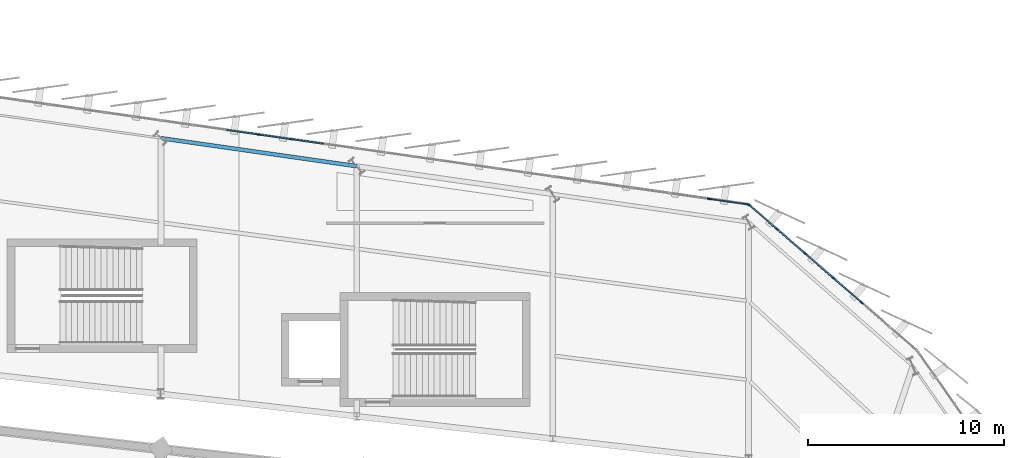
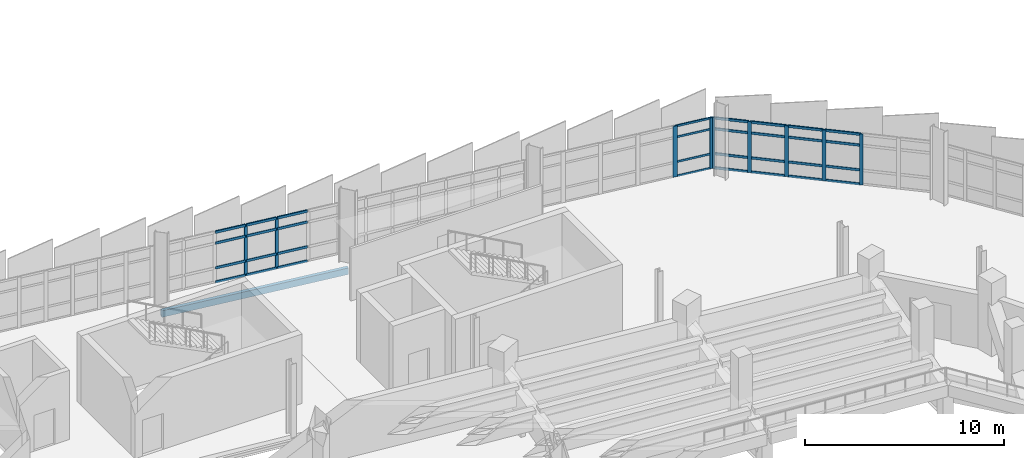
# One storey, part 70 of 120: 41 members, 1 beam, 3 elements without a shape of their own.
"""IFC4 building model written with IfcOpenShell, lengths in metres."""

from ifc_helpers import new_model, si_unit, direction, frame, origin, origin_2d, place, context, subcontext, project, spatial, rectangle, hollow_rectangle, extrude, material, layer, layer_set, material_profile, profile_set, type_object, element, aggregate, save


model = new_model("IFC4")

# Units and contexts
model_context = context("Model", 3, precision=1e-05, world=origin(), true_north=direction((0.0, 1.0)))
body_context = subcontext(model_context, "Body", "Model", "MODEL_VIEW")
ifc_project = project(units=[si_unit("LENGTHUNIT", "METRE"), si_unit("AREAUNIT", "SQUARE_METRE"), si_unit("VOLUMEUNIT", "CUBIC_METRE"), si_unit("PLANEANGLEUNIT", "RADIAN"), si_unit("MASSUNIT", "GRAM", prefix="KILO")], contexts=[model_context])

# Site, building, storey
site_placement = place(None, origin())
site = spatial("IfcSite", under=ifc_project, at=site_placement, CompositionType="ELEMENT")
building_placement = place(site_placement, origin())
building = spatial("IfcBuilding", under=site, at=building_placement, Name="Sohan Crest Arena", CompositionType="ELEMENT")
storey_placement = place(building_placement, frame((0.0, 0.0, 13.5)))
storey = spatial("IfcBuildingStorey", under=building, at=storey_placement, Name="L03", CompositionType="ELEMENT", Elevation=13.5)

# Curtain wall, members
ifc_material_1 = material(Name="Thermally broken anodised aluminium", Category="aluminium")
ifc_layer_1 = layer(ifc_material_1, 0.2099609375, Name="Thermally broken anodised aluminium")
ifc_layer_set_1 = layer_set([ifc_layer_1], Name="Thermally broken anodised aluminium")
curtain_wall_type_1 = type_object("IfcCurtainWallType", Name="ARC-CW06", PredefinedType="NOTDEFINED", material=ifc_layer_set_1)
curtain_wall_1_placement = place(storey_placement, origin())
curtain_wall_1 = element("IfcCurtainWall", 1, at=curtain_wall_1_placement, inside=storey, type_object=curtain_wall_type_1, Name="Unitised curtain wall CW-107", PredefinedType="NOTDEFINED")
ifc_material_profile_1 = material_profile(ifc_material_1, rectangle(XDim=0.06494140625, YDim=0.179931640625, at=origin_2d()), Name="ALU-MULL 65x180")
ifc_profile_set_1 = profile_set([ifc_material_profile_1], Name="Thermally broken anodised aluminium")
member_type_1 = type_object("IfcMemberType", Name="ARC-CW-ML02", PredefinedType="MULLION", material=ifc_profile_set_1)
member_1_placement = place(storey_placement, frame((144.666748046875, 120.2333984375, 0.0), z_axis=(0.0, 0.0, 1.0), x_axis=(-0.141462933734, -0.989943553128, 0.0)))
member_1 = element("IfcMember", 2, at=member_1_placement, type_object=member_type_1, Name="CW-107 mullion 3", PredefinedType="MULLION", context=body_context, shape_type="SweptSolid", body=[
    extrude(rectangle(XDim=0.06494140625, YDim=0.179931640625, at=origin_2d()), origin(), (0.0, 0.0, 1.0), 3.1201171875),
])
member_2_placement = place(storey_placement, frame((143.0, 120.471435546875, 0.0), z_axis=(0.0, 0.0, 1.0), x_axis=(-0.141462933734, -0.989943553128, 0.0)))
member_2 = element("IfcMember", 3, at=member_2_placement, type_object=member_type_1, Name="CW-107 mullion 4", PredefinedType="MULLION", context=body_context, shape_type="SweptSolid", body=[
    extrude(rectangle(XDim=0.06494140625, YDim=0.179931640625, at=origin_2d()), origin(), (0.0, 0.0, 1.0), 3.1201171875),
])

ifc_layer_2 = layer(ifc_material_1, 0.219970703125, Name="Thermally broken anodised aluminium")
ifc_layer_set_2 = layer_set([ifc_layer_2], Name="Thermally broken anodised aluminium")
curtain_wall_type_2 = type_object("IfcCurtainWallType", Name="ARC-CW03", PredefinedType="NOTDEFINED", material=ifc_layer_set_2)
curtain_wall_2_placement = place(storey_placement, origin())
curtain_wall_2 = element("IfcCurtainWall", 4, at=curtain_wall_2_placement, inside=storey, type_object=curtain_wall_type_2, Name="Unitised curtain wall CW-104", PredefinedType="NOTDEFINED")
ifc_material_profile_2 = material_profile(ifc_material_1, rectangle(XDim=0.070068359375, YDim=0.199951171875, at=origin_2d()), Name="ALU-MULL 70x200")
ifc_profile_set_2 = profile_set([ifc_material_profile_2], Name="Thermally broken anodised aluminium")
member_type_2 = type_object("IfcMemberType", Name="ARC-CW-ML03", PredefinedType="MULLION", material=ifc_profile_set_2)
member_3_placement = place(storey_placement, frame((173.758544921875, 111.89990234375, 0.0), z_axis=(0.0, 0.0, 1.0), x_axis=(-0.655615836736, -0.755094613026, 0.0)))
member_3 = element("IfcMember", 5, at=member_3_placement, type_object=member_type_2, Name="CW-104 mullion 3", PredefinedType="MULLION", context=body_context, shape_type="SweptSolid", body=[
    extrude(rectangle(XDim=0.070068359375, YDim=0.199951171875, at=origin_2d()), origin(), (0.0, 0.0, 1.0), 3.1201171875),
])
member_4_placement = place(storey_placement, frame((172.319091796875, 113.14990234375, 0.0), z_axis=(0.0, 0.0, 1.0), x_axis=(-0.655615836736, -0.755094613026, 0.0)))
member_4 = element("IfcMember", 6, at=member_4_placement, type_object=member_type_2, Name="CW-104 mullion 4", PredefinedType="MULLION", context=body_context, shape_type="SweptSolid", body=[
    extrude(rectangle(XDim=0.070068359375, YDim=0.199951171875, at=origin_2d()), origin(), (0.0, 0.0, 1.0), 3.1201171875),
])
member_5_placement = place(storey_placement, frame((170.87939453125, 114.39990234375, 0.0), z_axis=(0.0, 0.0, 1.0), x_axis=(-0.655615836736, -0.755094613026, 0.0)))
member_5 = element("IfcMember", 7, at=member_5_placement, type_object=member_type_2, Name="CW-104 mullion 5", PredefinedType="MULLION", context=body_context, shape_type="SweptSolid", body=[
    extrude(rectangle(XDim=0.070068359375, YDim=0.199951171875, at=origin_2d()), origin(), (0.0, 0.0, 1.0), 3.1201171875),
])
member_6_placement = place(storey_placement, frame((169.439697265625, 115.64990234375, 0.0), z_axis=(0.0, 0.0, 1.0), x_axis=(-0.655615836736, -0.755094613026, 0.0)))
member_6 = element("IfcMember", 8, at=member_6_placement, type_object=member_type_2, Name="CW-104 mullion 6", PredefinedType="MULLION", context=body_context, shape_type="SweptSolid", body=[
    extrude(rectangle(XDim=0.070068359375, YDim=0.199951171875, at=origin_2d()), origin(), (0.0, 0.0, 1.0), 3.1201171875),
])
member_7_placement = place(storey_placement, frame((168.0263671875, 116.876953125, 0.0), z_axis=(0.0, 0.0, 1.0), x_axis=(-0.655615836736, -0.755094613026, 0.0)))
member_7 = element("IfcMember", 9, at=member_7_placement, type_object=member_type_2, Name="CW-104 mullion 7", PredefinedType="MULLION", context=body_context, shape_type="SweptSolid", body=[
    extrude(rectangle(XDim=0.070068359375, YDim=0.199951171875, at=origin_2d()), origin(), (0.0, 0.0, 1.0), 3.1201171875),
])

ifc_layer_3 = layer(ifc_material_1, 0.239990234375, Name="Thermally broken anodised aluminium")
ifc_layer_set_3 = layer_set([ifc_layer_3], Name="Thermally broken anodised aluminium")
curtain_wall_type_3 = type_object("IfcCurtainWallType", Name="ARC-CW04", PredefinedType="NOTDEFINED", material=ifc_layer_set_3)
curtain_wall_3_placement = place(storey_placement, origin())
curtain_wall_3 = element("IfcCurtainWall", 10, at=curtain_wall_3_placement, inside=storey, type_object=curtain_wall_type_3, Name="Unitised curtain wall CW-105", PredefinedType="NOTDEFINED")
ifc_material_profile_3 = material_profile(ifc_material_1, rectangle(XDim=0.074951171875, YDim=0.219970703125, at=origin_2d()), Name="ALU-MULL 75x220")
ifc_profile_set_3 = profile_set([ifc_material_profile_3], Name="Thermally broken anodised aluminium")
member_type_3 = type_object("IfcMemberType", Name="ARC-CW-ML04", PredefinedType="MULLION", material=ifc_profile_set_3)
member_8_placement = place(storey_placement, frame((167.962890625, 116.9052734375, 0.0), z_axis=(0.0, 0.0, 1.0), x_axis=(-0.141462933734, -0.989943553128, 0.0)))
member_8 = element("IfcMember", 11, at=member_8_placement, type_object=member_type_3, Name="CW-105 mullion 1", PredefinedType="MULLION", context=body_context, shape_type="SweptSolid", body=[
    extrude(rectangle(XDim=0.074951171875, YDim=0.219970703125, at=origin_2d()), origin(), (0.0, 0.0, 1.0), 3.1201171875),
])
member_9_placement = place(storey_placement, frame((166.0, 117.185791015625, 0.0), z_axis=(0.0, 0.0, 1.0), x_axis=(-0.141462933734, -0.989943553128, 0.0)))
member_9 = element("IfcMember", 12, at=member_9_placement, type_object=member_type_3, Name="CW-105 mullion 2", PredefinedType="MULLION", context=body_context, shape_type="SweptSolid", body=[
    extrude(rectangle(XDim=0.074951171875, YDim=0.219970703125, at=origin_2d()), origin(), (0.0, 0.0, 1.0), 3.1201171875),
])
ifc_material_profile_4 = material_profile(ifc_material_1, rectangle(XDim=0.06005859375, YDim=0.1201171875, at=origin_2d()), Name="ALU-TRAN 60x120")
ifc_profile_set_4 = profile_set([ifc_material_profile_4], Name="Thermally broken anodised aluminium")
member_type_4 = type_object("IfcMemberType", Name="ARC-CW-TR01", PredefinedType="USERDEFINED", material=ifc_profile_set_4)
member_10_placement = place(storey_placement, frame((167.92578125, 116.91064453125, 0.030029296875), z_axis=(-0.989952052837, 0.141403440846, 0.0), x_axis=(-0.141403440846, -0.989952052837, 0.0)))
member_10 = element("IfcMember", 13, at=member_10_placement, type_object=member_type_4, Name="CW-105 transom 1.1", ObjectType="TRANSOM", PredefinedType="USERDEFINED", context=body_context, shape_type="SweptSolid", body=[
    extrude(rectangle(XDim=0.06005859375, YDim=0.1201171875, at=origin_2d()), origin(), (0.0, 0.0, 1.0), 1.907958984375),
])
member_11_placement = place(storey_placement, frame((167.92578125, 116.91064453125, 0.89990234375), z_axis=(-0.989952052837, 0.141403440846, 0.0), x_axis=(-0.141403440846, -0.989952052837, 0.0)))
member_11 = element("IfcMember", 14, at=member_11_placement, type_object=member_type_4, Name="CW-105 transom 1.2", ObjectType="TRANSOM", PredefinedType="USERDEFINED", context=body_context, shape_type="SweptSolid", body=[
    extrude(rectangle(XDim=0.06005859375, YDim=0.1201171875, at=origin_2d()), origin(), (0.0, 0.0, 1.0), 1.907958984375),
])
member_12_placement = place(storey_placement, frame((167.92578125, 116.91064453125, 2.419921875), z_axis=(-0.989952052837, 0.141403440846, 0.0), x_axis=(-0.141403440846, -0.989952052837, 0.0)))
member_12 = element("IfcMember", 15, at=member_12_placement, type_object=member_type_4, Name="CW-105 transom 1.3", ObjectType="TRANSOM", PredefinedType="USERDEFINED", context=body_context, shape_type="SweptSolid", body=[
    extrude(rectangle(XDim=0.06005859375, YDim=0.1201171875, at=origin_2d()), origin(), (0.0, 0.0, 1.0), 1.907958984375),
])
member_13_placement = place(storey_placement, frame((167.92578125, 116.91064453125, 3.090087890625), z_axis=(-0.989952052837, 0.141403440846, 0.0), x_axis=(-0.141403440846, -0.989952052837, 0.0)))
member_13 = element("IfcMember", 16, at=member_13_placement, type_object=member_type_4, Name="CW-105 transom 1.4", ObjectType="TRANSOM", PredefinedType="USERDEFINED", context=body_context, shape_type="SweptSolid", body=[
    extrude(rectangle(XDim=0.06005859375, YDim=0.1201171875, at=origin_2d()), origin(), (0.0, 0.0, 1.0), 1.907958984375),
])
aggregate(curtain_wall_3, [member_8, member_9, member_10, member_11, member_12, member_13])

# Member
ifc_material_profile_5 = material_profile(ifc_material_1, rectangle(XDim=0.070068359375, YDim=0.14990234375, at=origin_2d()), Name="ALU-TRAN 70x150")
ifc_profile_set_5 = profile_set([ifc_material_profile_5], Name="Thermally broken anodised aluminium")
member_type_5 = type_object("IfcMemberType", Name="ARC-CW-TR03", PredefinedType="USERDEFINED", material=ifc_profile_set_5)
member_14_placement = place(storey_placement, frame((173.732177734375, 111.9228515625, 0.034912109375), z_axis=(-0.755074682237, 0.655638790985, 0.0), x_axis=(-0.655638790985, -0.755074682237, 0.0)))
member_14 = element("IfcMember", 17, at=member_14_placement, type_object=member_type_5, Name="CW-104 transom 3.1", ObjectType="TRANSOM", PredefinedType="USERDEFINED", context=body_context, shape_type="SweptSolid", body=[
    extrude(rectangle(XDim=0.070068359375, YDim=0.14990234375, at=origin_2d()), origin(), (0.0, 0.0, 1.0), 1.83642578125),
])

member_15_placement = place(storey_placement, frame((173.732177734375, 111.9228515625, 0.89990234375), z_axis=(-0.755074682237, 0.655638790985, 0.0), x_axis=(-0.655638790985, -0.755074682237, 0.0)))
member_15 = element("IfcMember", 18, at=member_15_placement, type_object=member_type_5, Name="CW-104 transom 3.2", ObjectType="TRANSOM", PredefinedType="USERDEFINED", context=body_context, shape_type="SweptSolid", body=[
    extrude(rectangle(XDim=0.070068359375, YDim=0.14990234375, at=origin_2d()), origin(), (0.0, 0.0, 1.0), 1.83642578125),
])

member_16_placement = place(storey_placement, frame((173.732177734375, 111.9228515625, 2.419921875), z_axis=(-0.755074682237, 0.655638790985, 0.0), x_axis=(-0.655638790985, -0.755074682237, 0.0)))
member_16 = element("IfcMember", 19, at=member_16_placement, type_object=member_type_5, Name="CW-104 transom 3.3", ObjectType="TRANSOM", PredefinedType="USERDEFINED", context=body_context, shape_type="SweptSolid", body=[
    extrude(rectangle(XDim=0.070068359375, YDim=0.14990234375, at=origin_2d()), origin(), (0.0, 0.0, 1.0), 1.83642578125),
])

member_17_placement = place(storey_placement, frame((173.732177734375, 111.9228515625, 3.0849609375), z_axis=(-0.755074682237, 0.655638790985, 0.0), x_axis=(-0.655638790985, -0.755074682237, 0.0)))
member_17 = element("IfcMember", 20, at=member_17_placement, type_object=member_type_5, Name="CW-104 transom 3.4", ObjectType="TRANSOM", PredefinedType="USERDEFINED", context=body_context, shape_type="SweptSolid", body=[
    extrude(rectangle(XDim=0.070068359375, YDim=0.14990234375, at=origin_2d()), origin(), (0.0, 0.0, 1.0), 1.83642578125),
])

member_18_placement = place(storey_placement, frame((172.29248046875, 113.1728515625, 0.034912109375), z_axis=(-0.755074682237, 0.655638790985, 0.0), x_axis=(-0.655638790985, -0.755074682237, 0.0)))
member_18 = element("IfcMember", 21, at=member_18_placement, type_object=member_type_5, Name="CW-104 transom 4.1", ObjectType="TRANSOM", PredefinedType="USERDEFINED", context=body_context, shape_type="SweptSolid", body=[
    extrude(rectangle(XDim=0.070068359375, YDim=0.14990234375, at=origin_2d()), origin(), (0.0, 0.0, 1.0), 1.83642578125),
])

member_19_placement = place(storey_placement, frame((172.29248046875, 113.1728515625, 0.89990234375), z_axis=(-0.755074682237, 0.655638790985, 0.0), x_axis=(-0.655638790985, -0.755074682237, 0.0)))
member_19 = element("IfcMember", 22, at=member_19_placement, type_object=member_type_5, Name="CW-104 transom 4.2", ObjectType="TRANSOM", PredefinedType="USERDEFINED", context=body_context, shape_type="SweptSolid", body=[
    extrude(rectangle(XDim=0.070068359375, YDim=0.14990234375, at=origin_2d()), origin(), (0.0, 0.0, 1.0), 1.83642578125),
])

member_20_placement = place(storey_placement, frame((172.29248046875, 113.1728515625, 2.419921875), z_axis=(-0.755074682237, 0.655638790985, 0.0), x_axis=(-0.655638790985, -0.755074682237, 0.0)))
member_20 = element("IfcMember", 23, at=member_20_placement, type_object=member_type_5, Name="CW-104 transom 4.3", ObjectType="TRANSOM", PredefinedType="USERDEFINED", context=body_context, shape_type="SweptSolid", body=[
    extrude(rectangle(XDim=0.070068359375, YDim=0.14990234375, at=origin_2d()), origin(), (0.0, 0.0, 1.0), 1.83642578125),
])

member_21_placement = place(storey_placement, frame((172.29248046875, 113.1728515625, 3.0849609375), z_axis=(-0.755074682237, 0.655638790985, 0.0), x_axis=(-0.655638790985, -0.755074682237, 0.0)))
member_21 = element("IfcMember", 24, at=member_21_placement, type_object=member_type_5, Name="CW-104 transom 4.4", ObjectType="TRANSOM", PredefinedType="USERDEFINED", context=body_context, shape_type="SweptSolid", body=[
    extrude(rectangle(XDim=0.070068359375, YDim=0.14990234375, at=origin_2d()), origin(), (0.0, 0.0, 1.0), 1.83642578125),
])

member_22_placement = place(storey_placement, frame((170.852783203125, 114.4228515625, 0.034912109375), z_axis=(-0.755074682237, 0.655638790985, 0.0), x_axis=(-0.655638790985, -0.755074682237, 0.0)))
member_22 = element("IfcMember", 25, at=member_22_placement, type_object=member_type_5, Name="CW-104 transom 5.1", ObjectType="TRANSOM", PredefinedType="USERDEFINED", context=body_context, shape_type="SweptSolid", body=[
    extrude(rectangle(XDim=0.070068359375, YDim=0.14990234375, at=origin_2d()), origin(), (0.0, 0.0, 1.0), 1.83642578125),
])

member_23_placement = place(storey_placement, frame((170.852783203125, 114.4228515625, 0.89990234375), z_axis=(-0.755074682237, 0.655638790985, 0.0), x_axis=(-0.655638790985, -0.755074682237, 0.0)))
member_23 = element("IfcMember", 26, at=member_23_placement, type_object=member_type_5, Name="CW-104 transom 5.2", ObjectType="TRANSOM", PredefinedType="USERDEFINED", context=body_context, shape_type="SweptSolid", body=[
    extrude(rectangle(XDim=0.070068359375, YDim=0.14990234375, at=origin_2d()), origin(), (0.0, 0.0, 1.0), 1.83642578125),
])

member_24_placement = place(storey_placement, frame((170.852783203125, 114.4228515625, 2.419921875), z_axis=(-0.755074682237, 0.655638790985, 0.0), x_axis=(-0.655638790985, -0.755074682237, 0.0)))
member_24 = element("IfcMember", 27, at=member_24_placement, type_object=member_type_5, Name="CW-104 transom 5.3", ObjectType="TRANSOM", PredefinedType="USERDEFINED", context=body_context, shape_type="SweptSolid", body=[
    extrude(rectangle(XDim=0.070068359375, YDim=0.14990234375, at=origin_2d()), origin(), (0.0, 0.0, 1.0), 1.83642578125),
])

member_25_placement = place(storey_placement, frame((170.852783203125, 114.4228515625, 3.0849609375), z_axis=(-0.755074682237, 0.655638790985, 0.0), x_axis=(-0.655638790985, -0.755074682237, 0.0)))
member_25 = element("IfcMember", 28, at=member_25_placement, type_object=member_type_5, Name="CW-104 transom 5.4", ObjectType="TRANSOM", PredefinedType="USERDEFINED", context=body_context, shape_type="SweptSolid", body=[
    extrude(rectangle(XDim=0.070068359375, YDim=0.14990234375, at=origin_2d()), origin(), (0.0, 0.0, 1.0), 1.83642578125),
])

member_26_placement = place(storey_placement, frame((169.413330078125, 115.6728515625, 0.034912109375), z_axis=(-0.755089611384, 0.65562159725, 0.0), x_axis=(-0.65562159725, -0.755089611384, 0.0)))
member_26 = element("IfcMember", 29, at=member_26_placement, type_object=member_type_5, Name="CW-104 transom 6.1", ObjectType="TRANSOM", PredefinedType="USERDEFINED", context=body_context, shape_type="SweptSolid", body=[
    extrude(rectangle(XDim=0.070068359375, YDim=0.14990234375, at=origin_2d()), origin(), (0.0, 0.0, 1.0), 1.801513671875),
])

member_27_placement = place(storey_placement, frame((169.413330078125, 115.6728515625, 0.89990234375), z_axis=(-0.755089611384, 0.65562159725, 0.0), x_axis=(-0.65562159725, -0.755089611384, 0.0)))
member_27 = element("IfcMember", 30, at=member_27_placement, type_object=member_type_5, Name="CW-104 transom 6.2", ObjectType="TRANSOM", PredefinedType="USERDEFINED", context=body_context, shape_type="SweptSolid", body=[
    extrude(rectangle(XDim=0.070068359375, YDim=0.14990234375, at=origin_2d()), origin(), (0.0, 0.0, 1.0), 1.801513671875),
])

member_28_placement = place(storey_placement, frame((169.413330078125, 115.6728515625, 2.419921875), z_axis=(-0.755089611384, 0.65562159725, 0.0), x_axis=(-0.65562159725, -0.755089611384, 0.0)))
member_28 = element("IfcMember", 31, at=member_28_placement, type_object=member_type_5, Name="CW-104 transom 6.3", ObjectType="TRANSOM", PredefinedType="USERDEFINED", context=body_context, shape_type="SweptSolid", body=[
    extrude(rectangle(XDim=0.070068359375, YDim=0.14990234375, at=origin_2d()), origin(), (0.0, 0.0, 1.0), 1.801513671875),
])

member_29_placement = place(storey_placement, frame((169.413330078125, 115.6728515625, 3.0849609375), z_axis=(-0.755089611384, 0.65562159725, 0.0), x_axis=(-0.65562159725, -0.755089611384, 0.0)))
member_29 = element("IfcMember", 32, at=member_29_placement, type_object=member_type_5, Name="CW-104 transom 6.4", ObjectType="TRANSOM", PredefinedType="USERDEFINED", context=body_context, shape_type="SweptSolid", body=[
    extrude(rectangle(XDim=0.070068359375, YDim=0.14990234375, at=origin_2d()), origin(), (0.0, 0.0, 1.0), 1.801513671875),
])

aggregate(curtain_wall_2, [member_3, member_4, member_5, member_6, member_7, member_14, member_15, member_16, member_17, member_18, member_19, member_20, member_21, member_22, member_23, member_24, member_25, member_26, member_27, member_28, member_29])

member_30_placement = place(storey_placement, frame((146.30126953125, 119.999755859375, 0.034912109375), z_axis=(-0.989943460198, 0.141463584044, 0.0), x_axis=(-0.141463584044, -0.989943460198, 0.0)))
member_30 = element("IfcMember", 33, at=member_30_placement, type_object=member_type_5, Name="CW-107 transom 2.1", ObjectType="TRANSOM", PredefinedType="USERDEFINED", context=body_context, shape_type="SweptSolid", body=[
    extrude(rectangle(XDim=0.070068359375, YDim=0.14990234375, at=origin_2d()), origin(), (0.0, 0.0, 1.0), 1.618896484375),
])

member_31_placement = place(storey_placement, frame((146.30126953125, 119.999755859375, 0.89990234375), z_axis=(-0.989943460198, 0.141463584044, 0.0), x_axis=(-0.141463584044, -0.989943460198, 0.0)))
member_31 = element("IfcMember", 34, at=member_31_placement, type_object=member_type_5, Name="CW-107 transom 2.2", ObjectType="TRANSOM", PredefinedType="USERDEFINED", context=body_context, shape_type="SweptSolid", body=[
    extrude(rectangle(XDim=0.070068359375, YDim=0.14990234375, at=origin_2d()), origin(), (0.0, 0.0, 1.0), 1.618896484375),
])

member_32_placement = place(storey_placement, frame((146.30126953125, 119.999755859375, 2.419921875), z_axis=(-0.989943460198, 0.141463584044, 0.0), x_axis=(-0.141463584044, -0.989943460198, 0.0)))
member_32 = element("IfcMember", 35, at=member_32_placement, type_object=member_type_5, Name="CW-107 transom 2.3", ObjectType="TRANSOM", PredefinedType="USERDEFINED", context=body_context, shape_type="SweptSolid", body=[
    extrude(rectangle(XDim=0.070068359375, YDim=0.14990234375, at=origin_2d()), origin(), (0.0, 0.0, 1.0), 1.618896484375),
])

member_33_placement = place(storey_placement, frame((146.30126953125, 119.999755859375, 3.0849609375), z_axis=(-0.989943460198, 0.141463584044, 0.0), x_axis=(-0.141463584044, -0.989943460198, 0.0)))
member_33 = element("IfcMember", 36, at=member_33_placement, type_object=member_type_5, Name="CW-107 transom 2.4", ObjectType="TRANSOM", PredefinedType="USERDEFINED", context=body_context, shape_type="SweptSolid", body=[
    extrude(rectangle(XDim=0.070068359375, YDim=0.14990234375, at=origin_2d()), origin(), (0.0, 0.0, 1.0), 1.618896484375),
])

member_34_placement = place(storey_placement, frame((144.634521484375, 120.238037109375, 0.034912109375), z_axis=(-0.989961557241, 0.141336885439, 0.0), x_axis=(-0.141336885439, -0.989961557241, 0.0)))
member_34 = element("IfcMember", 37, at=member_34_placement, type_object=member_type_5, Name="CW-107 transom 3.1", ObjectType="TRANSOM", PredefinedType="USERDEFINED", context=body_context, shape_type="SweptSolid", body=[
    extrude(rectangle(XDim=0.070068359375, YDim=0.14990234375, at=origin_2d()), origin(), (0.0, 0.0, 1.0), 1.61865234375),
])

member_35_placement = place(storey_placement, frame((144.634521484375, 120.238037109375, 0.89990234375), z_axis=(-0.989961557241, 0.141336885439, 0.0), x_axis=(-0.141336885439, -0.989961557241, 0.0)))
member_35 = element("IfcMember", 38, at=member_35_placement, type_object=member_type_5, Name="CW-107 transom 3.2", ObjectType="TRANSOM", PredefinedType="USERDEFINED", context=body_context, shape_type="SweptSolid", body=[
    extrude(rectangle(XDim=0.070068359375, YDim=0.14990234375, at=origin_2d()), origin(), (0.0, 0.0, 1.0), 1.61865234375),
])

member_36_placement = place(storey_placement, frame((144.634521484375, 120.238037109375, 2.419921875), z_axis=(-0.989961557241, 0.141336885439, 0.0), x_axis=(-0.141336885439, -0.989961557241, 0.0)))
member_36 = element("IfcMember", 39, at=member_36_placement, type_object=member_type_5, Name="CW-107 transom 3.3", ObjectType="TRANSOM", PredefinedType="USERDEFINED", context=body_context, shape_type="SweptSolid", body=[
    extrude(rectangle(XDim=0.070068359375, YDim=0.14990234375, at=origin_2d()), origin(), (0.0, 0.0, 1.0), 1.61865234375),
])

member_37_placement = place(storey_placement, frame((144.634521484375, 120.238037109375, 3.0849609375), z_axis=(-0.989961557241, 0.141336885439, 0.0), x_axis=(-0.141336885439, -0.989961557241, 0.0)))
member_37 = element("IfcMember", 40, at=member_37_placement, type_object=member_type_5, Name="CW-107 transom 3.4", ObjectType="TRANSOM", PredefinedType="USERDEFINED", context=body_context, shape_type="SweptSolid", body=[
    extrude(rectangle(XDim=0.070068359375, YDim=0.14990234375, at=origin_2d()), origin(), (0.0, 0.0, 1.0), 1.61865234375),
])

member_38_placement = place(storey_placement, frame((142.9677734375, 120.47607421875, 0.034912109375), z_axis=(-0.98994044144, 0.141484707309, 0.0), x_axis=(-0.141484707309, -0.98994044144, 0.0)))
member_38 = element("IfcMember", 41, at=member_38_placement, type_object=member_type_5, Name="CW-107 transom 4.1", ObjectType="TRANSOM", PredefinedType="USERDEFINED", context=body_context, shape_type="SweptSolid", body=[
    extrude(rectangle(XDim=0.070068359375, YDim=0.14990234375, at=origin_2d()), origin(), (0.0, 0.0, 1.0), 1.61865234375),
])

member_39_placement = place(storey_placement, frame((142.9677734375, 120.47607421875, 0.89990234375), z_axis=(-0.98994044144, 0.141484707309, 0.0), x_axis=(-0.141484707309, -0.98994044144, 0.0)))
member_39 = element("IfcMember", 42, at=member_39_placement, type_object=member_type_5, Name="CW-107 transom 4.2", ObjectType="TRANSOM", PredefinedType="USERDEFINED", context=body_context, shape_type="SweptSolid", body=[
    extrude(rectangle(XDim=0.070068359375, YDim=0.14990234375, at=origin_2d()), origin(), (0.0, 0.0, 1.0), 1.61865234375),
])

member_40_placement = place(storey_placement, frame((142.9677734375, 120.47607421875, 2.419921875), z_axis=(-0.98994044144, 0.141484707309, 0.0), x_axis=(-0.141484707309, -0.98994044144, 0.0)))
member_40 = element("IfcMember", 43, at=member_40_placement, type_object=member_type_5, Name="CW-107 transom 4.3", ObjectType="TRANSOM", PredefinedType="USERDEFINED", context=body_context, shape_type="SweptSolid", body=[
    extrude(rectangle(XDim=0.070068359375, YDim=0.14990234375, at=origin_2d()), origin(), (0.0, 0.0, 1.0), 1.61865234375),
])

member_41_placement = place(storey_placement, frame((142.9677734375, 120.47607421875, 3.0849609375), z_axis=(-0.98994044144, 0.141484707309, 0.0), x_axis=(-0.141484707309, -0.98994044144, 0.0)))
member_41 = element("IfcMember", 44, at=member_41_placement, type_object=member_type_5, Name="CW-107 transom 4.4", ObjectType="TRANSOM", PredefinedType="USERDEFINED", context=body_context, shape_type="SweptSolid", body=[
    extrude(rectangle(XDim=0.070068359375, YDim=0.14990234375, at=origin_2d()), origin(), (0.0, 0.0, 1.0), 1.61865234375),
])

aggregate(curtain_wall_1, [member_1, member_2, member_30, member_31, member_32, member_33, member_34, member_35, member_36, member_37, member_38, member_39, member_40, member_41])

# Beam
ifc_material_2 = material(Name="Steel S355", Category="steel")
ifc_material_profile_6 = material_profile(ifc_material_2, hollow_rectangle(XDim=0.199951171875, YDim=0.39990234375, WallThickness=0.012451171875, at=origin_2d()), Name="RHS 400x200x12.5")
ifc_profile_set_6 = profile_set([ifc_material_profile_6], Name="Steel S355")
beam_type = type_object("IfcBeamType", Name="STR-BM-SP05", PredefinedType="SPANDREL", material=ifc_profile_set_6)
beam_placement = place(storey_placement, frame((148.0, 118.85693359375, -0.449951171875), z_axis=(-0.989944175879, 0.141458575718, 0.0), x_axis=(-0.141458575718, -0.989944175879, 0.0)))
element("IfcBeam", 45, at=beam_placement, inside=storey, type_object=beam_type, Name="Structural beam SP-L03-1532", PredefinedType="SPANDREL", context=body_context, shape_type="SweptSolid", body=[
    extrude(hollow_rectangle(XDim=0.199951171875, YDim=0.39990234375, WallThickness=0.012451171875, at=origin_2d()), origin(), (0.0, 0.0, 1.0), 10.1015625),
])

save(model, "model.ifc")
